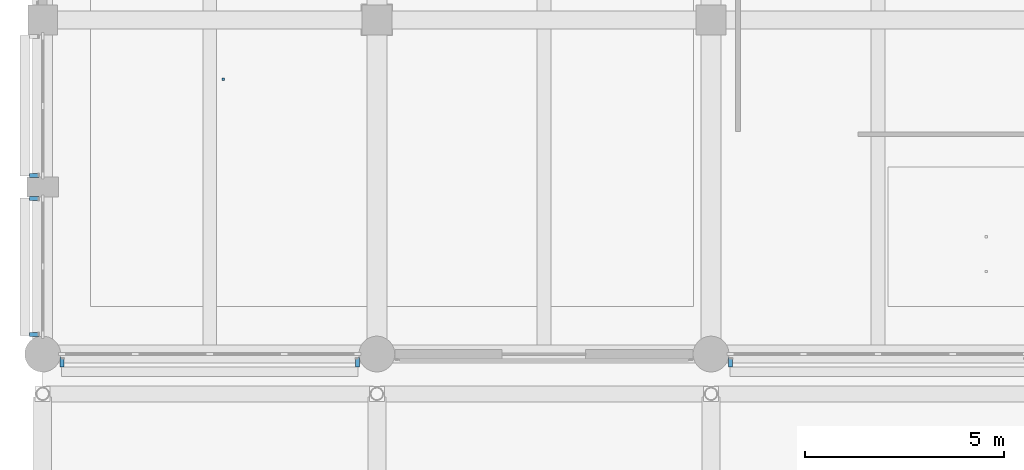
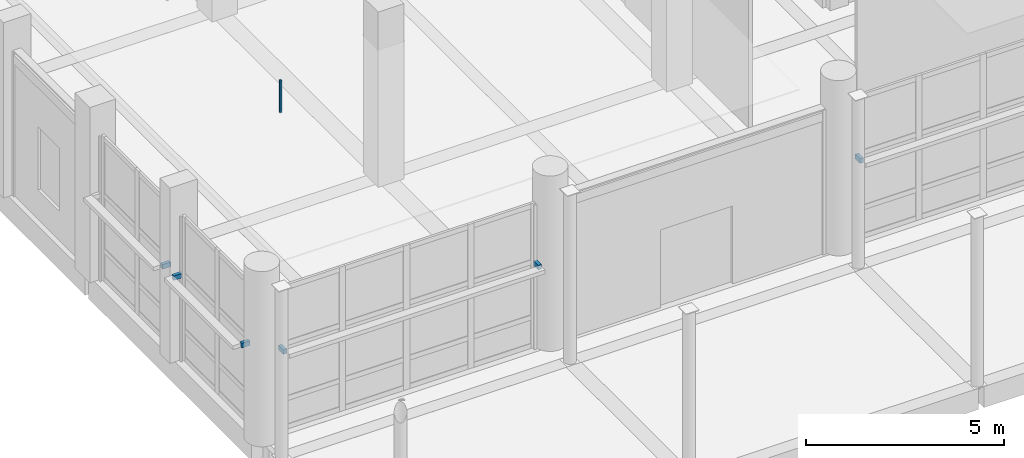
# One storey, part 70 of 140: 7 discrete accessories.
"""IFC4 building model written with IfcOpenShell, lengths in metres."""

from ifc_helpers import new_model, si_unit, direction, frame, origin, origin_2d, place, context, subcontext, project, spatial, rectangle, extrude, material, type_object, element, save


model = new_model("IFC4")

# Units and contexts
model_context = context("Model", 3, precision=1e-05, world=origin(), true_north=direction((0.0, 1.0)))
body_context = subcontext(model_context, "Body", "Model", "MODEL_VIEW")
ifc_project = project(units=[si_unit("LENGTHUNIT", "METRE"), si_unit("AREAUNIT", "SQUARE_METRE"), si_unit("VOLUMEUNIT", "CUBIC_METRE"), si_unit("PLANEANGLEUNIT", "RADIAN"), si_unit("MASSUNIT", "GRAM", prefix="KILO")], contexts=[model_context])

# Site, building, storey
site_placement = place(None, origin())
site = spatial("IfcSite", under=ifc_project, at=site_placement, CompositionType="ELEMENT")
building_placement = place(site_placement, origin())
building = spatial("IfcBuilding", under=site, at=building_placement, Name="Telukmera Botanical Conservatory", CompositionType="ELEMENT")
storey_placement = place(building_placement, origin())
storey = spatial("IfcBuildingStorey", under=building, at=storey_placement, Name="L00", CompositionType="ELEMENT", Elevation=0.0)

# Discrete accessories
ifc_material = material(Name="Steel S355", Category="steel")
discrete_accessory_type_1 = type_object("IfcDiscreteAccessoryType", Name="ACC-CEIL-HGR", PredefinedType="BRACKET", material=ifc_material)
discrete_accessory_placement = place(storey_placement, frame((12.93408203125, 24.512451171875, 4.2099609375), z_axis=(0.0, 0.0, 1.0), x_axis=(1.0, 0.0, 0.0)))
element("IfcDiscreteAccessory", 1, at=discrete_accessory_placement, inside=storey, type_object=discrete_accessory_type_1, Name="L00 Suspended Ceiling Hanger Rod 010-1", PredefinedType="BRACKET", context=body_context, shape_type="SweptSolid", body=[
    extrude(rectangle(XDim=0.06005859375, YDim=0.06005859375, at=origin_2d()), origin(), (0.0, 0.0, 1.0), 0.9951171875),
])
discrete_accessory_type_2 = type_object("IfcDiscreteAccessoryType", Name="Structural Steel Facade Outrigger Fin Bracket", PredefinedType="BRACKET", material=ifc_material)
for number, where, z_axis, x_axis, name in (
    (2, (8.886962890625, 17.389892578125, 2.580078125), (0.0, 0.0, 1.0), (1.0, 0.0, 0.0), "Facade Outrigger Bracket V3:L00:S1 A"),
    (3, (16.31298828125, 17.389892578125, 2.580078125), (0.0, 0.0, 1.0), (1.0, 0.0, 0.0), "Facade Outrigger Bracket V3:L00:S1 B"),
    (4, (25.68701171875, 17.389892578125, 2.580078125), (0.0, 0.0, 1.0), (1.0, 0.0, 0.0), "Facade Outrigger Bracket V3:L00:S3 A"),
    (5, (8.18994140625, 18.0869140625, 2.580078125), (0.0, 0.0, 1.0), (0.0, 1.0, 0.0), "Facade Outrigger Bracket V3:L00:W1A A"),
    (6, (8.18994140625, 21.512939453125, 2.580078125), (0.0, 0.0, 1.0), (0.0, 1.0, 0.0), "Facade Outrigger Bracket V3:L00:W1A B"),
    (7, (8.18994140625, 22.0869140625, 2.580078125), (0.0, 0.0, 1.0), (0.0, 1.0, 0.0), "Facade Outrigger Bracket V3:L00:W1B A"),
):
    element("IfcDiscreteAccessory", number, at=place(storey_placement, frame(where, z_axis=z_axis, x_axis=x_axis)), inside=storey, type_object=discrete_accessory_type_2, Name=name, PredefinedType="BRACKET", context=body_context, shape_type="SweptSolid", body=[
        extrude(rectangle(XDim=0.10009765625, YDim=0.239990234375, at=origin_2d()), origin(), (0.0, 0.0, 1.0), 0.139892578125),
    ])

save(model, "model.ifc")
